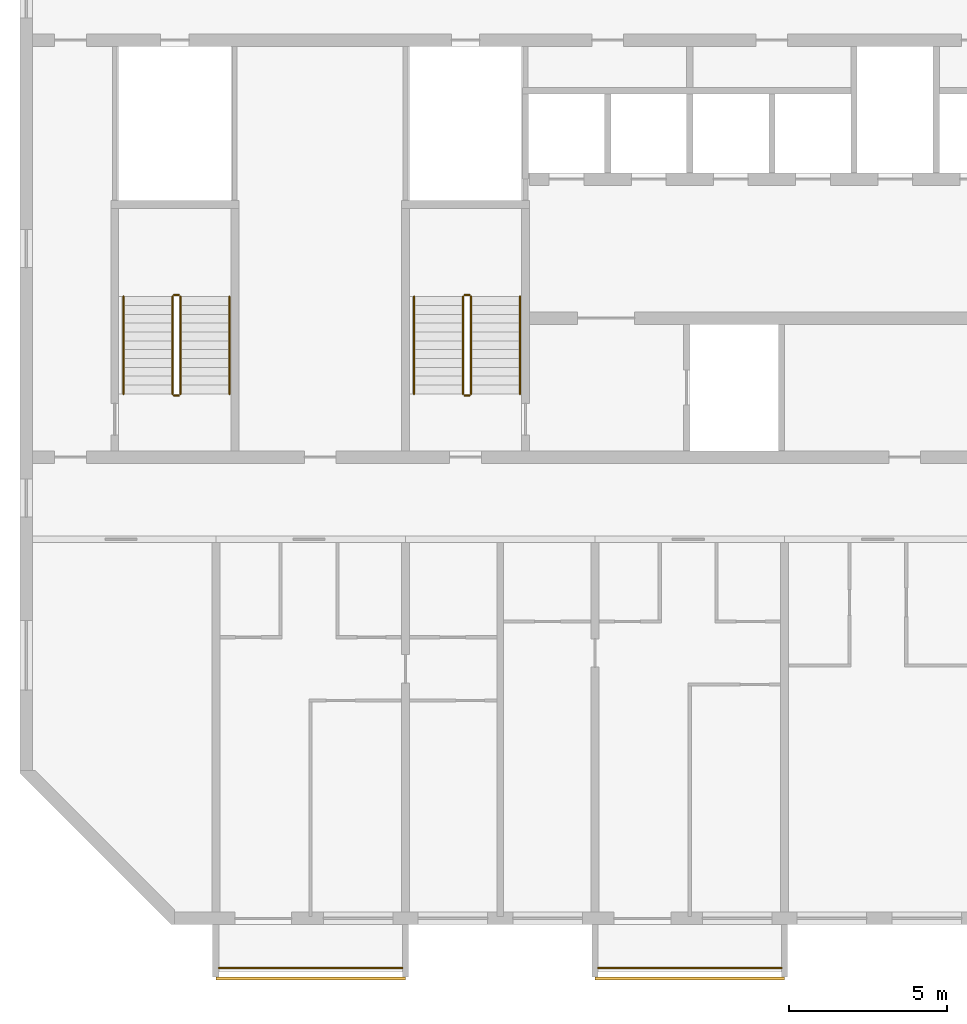
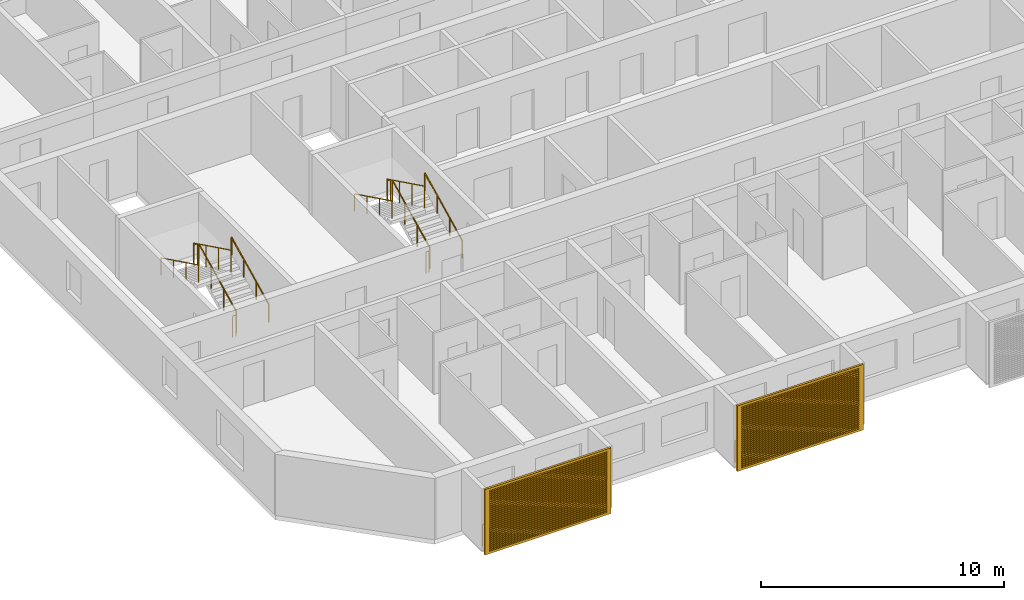
# One storey, part 13 of 27: 14 railings, 2 shading devices.
"""IFC4 building model written with IfcOpenShell, lengths in metres."""

import ifcopenshell
import ifcopenshell.guid

model = None  # the IFC model being written
_history = None  # IfcOwnerHistory: only IFC2X3 demands one
_inside = {}  # id of a spatial element -> (the spatial element, [elements in it])
_under = {}  # id of a project, library or spatial element -> (it, [spatial elements below it])
_declared = {}  # id of a project -> (the project, [libraries it declares])
_typed = {}  # id of a type object -> (the type object, [elements of that type])
_made_of = {}  # id of a material, layer set ... -> (it, [elements and type objects made of it])


def new_model(schema):
    """Start an empty IFC model of exactly this schema.

    Asked for "IFC4X3", IfcOpenShell would pick the latest addendum, in which some entities
    have other attributes; the version numbers below select the first issue.
    IFC2X3 requires an IfcOwnerHistory on every rooted entity: one is made here for all.
    """
    global model, _history
    if schema == "IFC4X3":
        model = ifcopenshell.file(schema_version=(4, 3, 0, 0))
    else:
        model = ifcopenshell.file(schema=schema)
    _inside.clear()
    _under.clear()
    _declared.clear()
    _typed.clear()
    _made_of.clear()
    _history = None
    if model.schema == "IFC2X3":
        org = make("IfcOrganization", Name="unknown")
        user = make(
            "IfcPersonAndOrganization",
            ThePerson=make("IfcPerson", FamilyName="unknown"),
            TheOrganization=org,
        )
        app = make(
            "IfcApplication",
            ApplicationDeveloper=org,
            Version="unknown",
            ApplicationFullName="unknown",
            ApplicationIdentifier="unknown",
        )
        _history = make(
            "IfcOwnerHistory",
            OwningUser=user,
            OwningApplication=app,
            ChangeAction="ADDED",
            CreationDate=0,
        )
    return model


def make(cls, **values):
    """One entity of the class cls with the attributes given. An attribute that is None is left unset."""
    return model.create_entity(
        cls, **{name: value for name, value in values.items() if value is not None}
    )


def rooted(cls, **values):
    """An entity with a GlobalId (a new one), such as an element, a storey or a relation."""
    return make(cls, GlobalId=ifcopenshell.guid.new(), OwnerHistory=_history, **values)


def si_unit(unit_type, name, prefix=None):
    """IfcSIUnit, for example si_unit("LENGTHUNIT", "METRE", prefix="MILLI")."""
    return make("IfcSIUnit", UnitType=unit_type, Prefix=prefix, Name=name)


def assignment(units):
    """IfcUnitAssignment: the units of a project."""
    return None if units is None else make("IfcUnitAssignment", Units=units)


def point(xyz):
    """IfcCartesianPoint."""
    return None if xyz is None else make("IfcCartesianPoint", Coordinates=xyz)


def direction(xyz):
    """IfcDirection."""
    return None if xyz is None else make("IfcDirection", DirectionRatios=xyz)


def frame(location, z_axis=None, x_axis=None):
    """IfcAxis2Placement3D, a coordinate frame: its origin and axes. An axis left out is left unset."""
    return make(
        "IfcAxis2Placement3D",
        Location=point(location),
        Axis=direction(z_axis),
        RefDirection=direction(x_axis),
    )


def frame_2d(location, x_axis=None):
    """IfcAxis2Placement2D, a coordinate frame in the plane: its origin and x axis."""
    return make(
        "IfcAxis2Placement2D", Location=point(location), RefDirection=direction(x_axis)
    )


def origin():
    """The frame at (0, 0, 0) with its axes left unset."""
    return frame((0.0, 0.0, 0.0))


def origin_2d():
    """The frame at (0, 0) in the plane with its x axis left unset."""
    return frame_2d((0.0, 0.0))


def place(relative_to, where):
    """IfcLocalPlacement: puts the frame where relative to a parent placement (None: the world)."""
    return make(
        "IfcLocalPlacement", PlacementRelTo=relative_to, RelativePlacement=where
    )


def context(
    kind, dimensions, precision=None, world=None, true_north=None, identifier=None
):
    """IfcGeometricRepresentationContext, for example the 3D "Model" context."""
    return make(
        "IfcGeometricRepresentationContext",
        ContextIdentifier=identifier,
        ContextType=kind,
        CoordinateSpaceDimension=dimensions,
        Precision=precision,
        WorldCoordinateSystem=world,
        TrueNorth=true_north,
    )


def subcontext(parent, identifier, kind, view, scale=None):
    """IfcGeometricRepresentationSubContext, for example "Body" below "Model"."""
    return make(
        "IfcGeometricRepresentationSubContext",
        ContextIdentifier=identifier,
        ContextType=kind,
        ParentContext=parent,
        TargetScale=scale,
        TargetView=view,
    )


def project(units=None, contexts=None):
    """IfcProject with its units and contexts."""
    return rooted(
        "IfcProject",
        Name="project",
        RepresentationContexts=contexts,
        UnitsInContext=assignment(units),
    )


def spatial(cls, under=None, at=None, **own):
    """A site, building, storey or space (cls), placed at a placement, below another one or the project."""
    s = rooted(cls, ObjectPlacement=at, **own)
    if under is not None:
        _under.setdefault(under.id(), (under, []))[1].append(s)
    return s


def polyline(points):
    """IfcPolyline through the points."""
    return make("IfcPolyline", Points=[point(p) for p in points])


def profile(cls, at=None, kind="AREA", **sizes):
    """A parametric profile (cls). Its sizes go by their IFC names, for example OverallWidth=200.0."""
    return make(cls, ProfileType=kind, Position=at, **sizes)


def circle(**sizes):
    """IfcCircleProfileDef."""
    return profile("IfcCircleProfileDef", **sizes)


def outline(outer, holes=None, kind="AREA"):
    """IfcArbitraryClosedProfileDef: a profile drawn as a closed curve; with holes, ...WithVoids."""
    if holes is None:
        return make("IfcArbitraryClosedProfileDef", ProfileType=kind, OuterCurve=outer)
    return make(
        "IfcArbitraryProfileDefWithVoids",
        ProfileType=kind,
        OuterCurve=outer,
        InnerCurves=holes,
    )


def extrude(swept, where, along, depth):
    """IfcExtrudedAreaSolid: the profile swept, set in the frame where, extruded along a direction by depth."""
    return make(
        "IfcExtrudedAreaSolid",
        SweptArea=swept,
        Position=where,
        ExtrudedDirection=direction(along),
        Depth=depth,
    )


def shape(context_of_items, identifier, shape_type, items):
    """IfcShapeRepresentation: the items that make up one representation, for example the "Body"."""
    return make(
        "IfcShapeRepresentation",
        ContextOfItems=context_of_items,
        RepresentationIdentifier=identifier,
        RepresentationType=shape_type,
        Items=items,
    )


def source(mapping_origin, context_of_items, identifier, shape_type, items):
    """IfcRepresentationMap: a shape defined once, which mapped items show again and again."""
    return make(
        "IfcRepresentationMap",
        MappingOrigin=mapping_origin,
        MappedRepresentation=shape(context_of_items, identifier, shape_type, items),
    )


def transform(
    local_origin,
    x_axis=None,
    y_axis=None,
    z_axis=None,
    scale=None,
    scale2=None,
    scale3=None,
    uniform=True,
):
    """IfcCartesianTransformationOperator3D, or its non-uniform kind. x_axis, y_axis, z_axis: its Axis1, 2, 3."""
    if uniform:
        return make(
            "IfcCartesianTransformationOperator3D",
            Axis1=direction(x_axis),
            Axis2=direction(y_axis),
            LocalOrigin=point(local_origin),
            Scale=scale,
            Axis3=direction(z_axis),
        )
    return make(
        "IfcCartesianTransformationOperator3DnonUniform",
        Axis1=direction(x_axis),
        Axis2=direction(y_axis),
        LocalOrigin=point(local_origin),
        Scale=scale,
        Axis3=direction(z_axis),
        Scale2=scale2,
        Scale3=scale3,
    )


def mapped(mapping_source, mapping_target):
    """IfcMappedItem: shows the shape of a source again, moved by a transform."""
    return make(
        "IfcMappedItem", MappingSource=mapping_source, MappingTarget=mapping_target
    )


def material(Name=None, Category=None):
    """IfcMaterial."""
    return make("IfcMaterial", Name=Name, Category=Category)


def material_profile(
    of_material, cross_section, Name=None, Category=None, Priority=None
):
    """IfcMaterialProfile: a cross section and its material."""
    return make(
        "IfcMaterialProfile",
        Name=Name,
        Material=of_material,
        Profile=cross_section,
        Priority=Priority,
        Category=Category,
    )


def profile_set(profiles, Name=None, composite=None):
    """IfcMaterialProfileSet."""
    return make(
        "IfcMaterialProfileSet",
        Name=Name,
        MaterialProfiles=profiles,
        CompositeProfile=composite,
    )


def made_of(thing, what):
    """Note that an element or type object is made of a material, layer set ...; save() writes the relation."""
    if what is not None:
        _made_of.setdefault(what.id(), (what, []))[1].append(thing)
    return thing


def type_object(cls, material=None, **own):
    """A type object (cls), such as IfcWallType, which elements share."""
    return made_of(rooted(cls, **own), material)


def element(
    cls,
    number,
    at=None,
    inside=None,
    cuts=None,
    type_object=None,
    material=None,
    context=None,
    identifier="Body",
    shape_type=None,
    held_by="IfcProductDefinitionShape",
    body=None,
    shapes=None,
    **own,
):
    """One element of the class cls, such as IfcWall. Its Tag is "e" and its number.

    at: its placement. inside: the storey or other place that contains it. cuts: it is an
    opening in that element (IfcRelVoidsElement). A single representation is given by context,
    identifier, shape_type and body (its items); several are given by shapes. held_by: the class
    of the entity that holds the representations. save() writes the other relations.
    """
    e = rooted(cls, Tag="e%d" % number, ObjectPlacement=at, **own)
    if body is not None:
        shapes = [shape(context, identifier, shape_type, body)]
    if shapes is not None:
        e.Representation = make(held_by, Representations=shapes)
    if inside is not None:
        _inside.setdefault(inside.id(), (inside, []))[1].append(e)
    if cuts is not None:
        rooted(
            "IfcRelVoidsElement", RelatingBuildingElement=cuts, RelatedOpeningElement=e
        )
    if type_object is not None:
        _typed.setdefault(type_object.id(), (type_object, []))[1].append(e)
    return made_of(e, material)


def aggregate(whole, parts):
    """IfcRelAggregates: a whole, such as a stair, and the parts it consists of."""
    return rooted("IfcRelAggregates", RelatingObject=whole, RelatedObjects=parts)


def save(model, path):
    """Write the relations noted so far, then the file.

    IfcRelAggregates (storeys below a building ...), IfcRelContainedInSpatialStructure (elements
    in a storey), IfcRelDefinesByType, IfcRelAssociatesMaterial and IfcRelDeclares: one each for
    every whole, place, type object, material and project.
    """
    for whole, parts in _under.values():
        aggregate(whole, parts)
    for where, things in _inside.values():
        rooted(
            "IfcRelContainedInSpatialStructure",
            RelatedElements=things,
            RelatingStructure=where,
        )
    for kind, things in _typed.values():
        rooted("IfcRelDefinesByType", RelatedObjects=things, RelatingType=kind)
    for what, things in _made_of.values():
        rooted("IfcRelAssociatesMaterial", RelatedObjects=things, RelatingMaterial=what)
    for by, libraries in _declared.values():
        rooted("IfcRelDeclares", RelatingContext=by, RelatedDefinitions=libraries)
    model.write(path)


model = new_model("IFC4")

# Units and contexts
model_context = context("Model", 3, precision=1e-05, world=origin(), true_north=direction((0.0, 1.0)))
body_context = subcontext(model_context, "Body", "Model", "MODEL_VIEW")
ifc_project = project(units=[si_unit("LENGTHUNIT", "METRE"), si_unit("AREAUNIT", "SQUARE_METRE"), si_unit("VOLUMEUNIT", "CUBIC_METRE"), si_unit("PLANEANGLEUNIT", "RADIAN"), si_unit("MASSUNIT", "GRAM", prefix="KILO")], contexts=[model_context])

# Site, building, storey
site_placement = place(None, origin())
site = spatial("IfcSite", under=ifc_project, at=site_placement, CompositionType="ELEMENT")
building_placement = place(site_placement, origin())
building = spatial("IfcBuilding", under=site, at=building_placement, Name="Poui Terraces", CompositionType="ELEMENT")
storey_placement = place(building_placement, frame((0.0, 0.0, 204.89990234375)))
storey = spatial("IfcBuildingStorey", under=building, at=storey_placement, Name="L57", CompositionType="ELEMENT", Elevation=204.89990234375)

# Railings
ifc_material_1 = material(Name="Painted steel fretwork", Category="steel")
railing_type_1 = type_object("IfcRailingType", Name="BALCONY GUARD 1100", PredefinedType="GUARDRAIL", material=ifc_material_1)
for number, where, name in (
    (1, (24.10009765625, -1.570068359375, 0.0), "BALCONY GUARD"),
    (2, (36.10009765625, -1.570068359375, 0.0), "BALCONY GUARD"),
):
    element("IfcRailing", number, at=place(storey_placement, frame(where)), inside=storey, type_object=railing_type_1, Name=name, PredefinedType="GUARDRAIL", context=body_context, shape_type="SweptSolid", body=[
        extrude(circle(Radius=0.02392578125, at=origin_2d()), frame((0.0, 0.0, 1.076171875), z_axis=(1.0, 0.0, 0.0), x_axis=(0.0, 1.0, 0.0)), (0.0, 0.0, 1.0), 5.7998046875),
        extrude(circle(Radius=0.02099609375, at=origin_2d()), origin(), (0.0, 0.0, 1.0), 1.052001953125),
        extrude(circle(Radius=0.02099609375, at=origin_2d()), frame((0.966552734375, 0.0, 0.0)), (0.0, 0.0, 1.0), 1.052001953125),
        extrude(circle(Radius=0.02099609375, at=origin_2d()), frame((1.933349609375, 0.0, 0.0)), (0.0, 0.0, 1.0), 1.052001953125),
        extrude(circle(Radius=0.02099609375, at=origin_2d()), frame((2.89990234375, 0.0, 0.0)), (0.0, 0.0, 1.0), 1.052001953125),
        extrude(circle(Radius=0.02099609375, at=origin_2d()), frame((3.866455078125, 0.0, 0.0)), (0.0, 0.0, 1.0), 1.052001953125),
        extrude(circle(Radius=0.02099609375, at=origin_2d()), frame((4.833251953125, 0.0, 0.0)), (0.0, 0.0, 1.0), 1.052001953125),
        extrude(circle(Radius=0.02099609375, at=origin_2d()), frame((5.7998046875, 0.0, 0.0)), (0.0, 0.0, 1.0), 1.052001953125),
    ])
ifc_material_2 = material(Name="Galvanised steel balustrade", Category="steel")
railing_type_2 = type_object("IfcRailingType", Name="STAIR GUARD 1100", PredefinedType="GUARDRAIL", material=ifc_material_2)
railing_1_placement = place(storey_placement, frame((32.074951171875, 16.60009765625, 0.1376953125)))
element("IfcRailing", 3, at=railing_1_placement, inside=storey, type_object=railing_type_2, Name="L57 ST-CW stair guard 1", PredefinedType="GUARDRAIL", context=body_context, shape_type="SweptSolid", body=[
    extrude(circle(Radius=0.02392578125, at=origin_2d()), frame((0.0, 0.0, 1.076171875), z_axis=(0.0, 0.897606190399, 0.440798283751), x_axis=(-1.0, 0.0, 0.0)), (0.0, 0.0, 1.0), 3.43115234375),
    extrude(circle(Radius=0.02099609375, at=origin_2d()), origin(), (0.0, 0.0, 1.0), 1.052001953125),
    extrude(circle(Radius=0.02099609375, at=origin_2d()), frame((0.0, 1.026611328125, 0.504150390625)), (0.0, 0.0, 1.0), 1.052001953125),
    extrude(circle(Radius=0.02099609375, at=origin_2d()), frame((0.0, 2.05322265625, 1.00830078125)), (0.0, 0.0, 1.0), 1.052001953125),
    extrude(circle(Radius=0.02099609375, at=origin_2d()), frame((0.0, 3.079833984375, 1.512451171875)), (0.0, 0.0, 1.0), 1.052001953125),
])
railing_2_placement = place(storey_placement, frame((32.02490234375, 19.72998046875, 1.650146484375)))
element("IfcRailing", 4, at=railing_2_placement, inside=storey, type_object=railing_type_2, Name="L57 ST-CW stair guard 2", PredefinedType="GUARDRAIL", context=body_context, shape_type="SweptSolid", body=[
    extrude(circle(Radius=0.02392578125, at=origin_2d()), frame((0.0, 0.0, 1.076171875), z_axis=(-1.0, 0.0, 0.0), x_axis=(0.0, -1.0, 0.0)), (0.0, 0.0, 1.0), 0.14990234375),
    extrude(circle(Radius=0.02099609375, at=origin_2d()), origin(), (0.0, 0.0, 1.0), 1.052001953125),
    extrude(circle(Radius=0.02099609375, at=origin_2d()), frame((-0.14990234375, 0.0, 0.0)), (0.0, 0.0, 1.0), 1.052001953125),
])
railing_3_placement = place(storey_placement, frame((31.824951171875, 19.679931640625, 1.78759765625)))
element("IfcRailing", 5, at=railing_3_placement, inside=storey, type_object=railing_type_2, Name="L57 ST-CW stair guard 3", PredefinedType="GUARDRAIL", context=body_context, shape_type="SweptSolid", body=[
    extrude(circle(Radius=0.02392578125, at=origin_2d()), frame((0.0, 0.0, 1.076171875), z_axis=(0.0, -0.897606190399, 0.440798283751), x_axis=(1.0, 0.0, 0.0)), (0.0, 0.0, 1.0), 3.43115234375),
    extrude(circle(Radius=0.02099609375, at=origin_2d()), origin(), (0.0, 0.0, 1.0), 1.052001953125),
    extrude(circle(Radius=0.02099609375, at=origin_2d()), frame((0.0, -1.026611328125, 0.504150390625)), (0.0, 0.0, 1.0), 1.052001953125),
    extrude(circle(Radius=0.02099609375, at=origin_2d()), frame((0.0, -2.05322265625, 1.00830078125)), (0.0, 0.0, 1.0), 1.052001953125),
    extrude(circle(Radius=0.02099609375, at=origin_2d()), frame((0.0, -3.079833984375, 1.512451171875)), (0.0, 0.0, 1.0), 1.052001953125),
])
railing_4_placement = place(storey_placement, frame((32.02490234375, 16.550048828125, 0.0)))
element("IfcRailing", 6, at=railing_4_placement, inside=storey, type_object=railing_type_2, Name="L57 ST-CW stair guard 4", PredefinedType="GUARDRAIL", context=body_context, shape_type="SweptSolid", body=[
    extrude(circle(Radius=0.02392578125, at=origin_2d()), frame((0.0, 0.0, 1.076171875), z_axis=(-1.0, 0.0, 0.0), x_axis=(0.0, -1.0, 0.0)), (0.0, 0.0, 1.0), 0.14990234375),
    extrude(circle(Radius=0.02099609375, at=origin_2d()), origin(), (0.0, 0.0, 1.0), 1.052001953125),
    extrude(circle(Radius=0.02099609375, at=origin_2d()), frame((-0.14990234375, 0.0, 0.0)), (0.0, 0.0, 1.0), 1.052001953125),
])
railing_5_placement = place(storey_placement, frame((22.875, 16.60009765625, 0.1376953125)))
element("IfcRailing", 7, at=railing_5_placement, inside=storey, type_object=railing_type_2, Name="L57 ST-W stair guard 1", PredefinedType="GUARDRAIL", context=body_context, shape_type="SweptSolid", body=[
    extrude(circle(Radius=0.02392578125, at=origin_2d()), frame((0.0, 0.0, 1.076171875), z_axis=(0.0, 0.897606190399, 0.440798283751), x_axis=(-1.0, 0.0, 0.0)), (0.0, 0.0, 1.0), 3.43115234375),
    extrude(circle(Radius=0.02099609375, at=origin_2d()), origin(), (0.0, 0.0, 1.0), 1.052001953125),
    extrude(circle(Radius=0.02099609375, at=origin_2d()), frame((0.0, 1.026611328125, 0.504150390625)), (0.0, 0.0, 1.0), 1.052001953125),
    extrude(circle(Radius=0.02099609375, at=origin_2d()), frame((0.0, 2.05322265625, 1.00830078125)), (0.0, 0.0, 1.0), 1.052001953125),
    extrude(circle(Radius=0.02099609375, at=origin_2d()), frame((0.0, 3.079833984375, 1.512451171875)), (0.0, 0.0, 1.0), 1.052001953125),
])
railing_6_placement = place(storey_placement, frame((22.824951171875, 19.72998046875, 1.650146484375)))
element("IfcRailing", 8, at=railing_6_placement, inside=storey, type_object=railing_type_2, Name="L57 ST-W stair guard 2", PredefinedType="GUARDRAIL", context=body_context, shape_type="SweptSolid", body=[
    extrude(circle(Radius=0.02392578125, at=origin_2d()), frame((0.0, 0.0, 1.076171875), z_axis=(-1.0, 0.0, 0.0), x_axis=(0.0, -1.0, 0.0)), (0.0, 0.0, 1.0), 0.14990234375),
    extrude(circle(Radius=0.02099609375, at=origin_2d()), origin(), (0.0, 0.0, 1.0), 1.052001953125),
    extrude(circle(Radius=0.02099609375, at=origin_2d()), frame((-0.14990234375, 0.0, 0.0)), (0.0, 0.0, 1.0), 1.052001953125),
])
railing_7_placement = place(storey_placement, frame((22.625, 19.679931640625, 1.78759765625)))
element("IfcRailing", 9, at=railing_7_placement, inside=storey, type_object=railing_type_2, Name="L57 ST-W stair guard 3", PredefinedType="GUARDRAIL", context=body_context, shape_type="SweptSolid", body=[
    extrude(circle(Radius=0.02392578125, at=origin_2d()), frame((0.0, 0.0, 1.076171875), z_axis=(0.0, -0.897606190399, 0.440798283751), x_axis=(1.0, 0.0, 0.0)), (0.0, 0.0, 1.0), 3.43115234375),
    extrude(circle(Radius=0.02099609375, at=origin_2d()), origin(), (0.0, 0.0, 1.0), 1.052001953125),
    extrude(circle(Radius=0.02099609375, at=origin_2d()), frame((0.0, -1.026611328125, 0.504150390625)), (0.0, 0.0, 1.0), 1.052001953125),
    extrude(circle(Radius=0.02099609375, at=origin_2d()), frame((0.0, -2.05322265625, 1.00830078125)), (0.0, 0.0, 1.0), 1.052001953125),
    extrude(circle(Radius=0.02099609375, at=origin_2d()), frame((0.0, -3.079833984375, 1.512451171875)), (0.0, 0.0, 1.0), 1.052001953125),
])
railing_8_placement = place(storey_placement, frame((22.824951171875, 16.550048828125, 0.0)))
element("IfcRailing", 10, at=railing_8_placement, inside=storey, type_object=railing_type_2, Name="L57 ST-W stair guard 4", PredefinedType="GUARDRAIL", context=body_context, shape_type="SweptSolid", body=[
    extrude(circle(Radius=0.02392578125, at=origin_2d()), frame((0.0, 0.0, 1.076171875), z_axis=(-1.0, 0.0, 0.0), x_axis=(0.0, -1.0, 0.0)), (0.0, 0.0, 1.0), 0.14990234375),
    extrude(circle(Radius=0.02099609375, at=origin_2d()), origin(), (0.0, 0.0, 1.0), 1.052001953125),
    extrude(circle(Radius=0.02099609375, at=origin_2d()), frame((-0.14990234375, 0.0, 0.0)), (0.0, 0.0, 1.0), 1.052001953125),
])
ifc_material_3 = material(Name="Stainless steel handrail", Category="steel")
railing_type_3 = type_object("IfcRailingType", Name="STAIR HANDRAIL 900", PredefinedType="HANDRAIL", material=ifc_material_3)
railing_9_placement = place(storey_placement, frame((33.625, 16.60009765625, 0.1376953125)))
element("IfcRailing", 11, at=railing_9_placement, inside=storey, type_object=railing_type_3, Name="L57 ST-CW stair handrail 1", PredefinedType="HANDRAIL", context=body_context, shape_type="SweptSolid", body=[
    extrude(circle(Radius=0.02392578125, at=origin_2d()), frame((0.0, 0.0, 0.8759765625), z_axis=(0.0, 0.897606190399, 0.440798283751), x_axis=(-1.0, 0.0, 0.0)), (0.0, 0.0, 1.0), 3.43115234375),
    extrude(circle(Radius=0.02099609375, at=origin_2d()), origin(), (0.0, 0.0, 1.0), 0.851806640625),
    extrude(circle(Radius=0.02099609375, at=origin_2d()), frame((0.0, 1.026611328125, 0.504150390625)), (0.0, 0.0, 1.0), 0.851806640625),
    extrude(circle(Radius=0.02099609375, at=origin_2d()), frame((0.0, 2.05322265625, 1.00830078125)), (0.0, 0.0, 1.0), 0.851806640625),
    extrude(circle(Radius=0.02099609375, at=origin_2d()), frame((0.0, 3.079833984375, 1.512451171875)), (0.0, 0.0, 1.0), 0.851806640625),
])
railing_10_placement = place(storey_placement, frame((30.27490234375, 19.679931640625, 1.78759765625)))
element("IfcRailing", 12, at=railing_10_placement, inside=storey, type_object=railing_type_3, Name="L57 ST-CW stair handrail 2", PredefinedType="HANDRAIL", context=body_context, shape_type="SweptSolid", body=[
    extrude(circle(Radius=0.02392578125, at=origin_2d()), frame((0.0, 0.0, 0.8759765625), z_axis=(0.0, -0.897606190399, 0.440798283751), x_axis=(1.0, 0.0, 0.0)), (0.0, 0.0, 1.0), 3.43115234375),
    extrude(circle(Radius=0.02099609375, at=origin_2d()), origin(), (0.0, 0.0, 1.0), 0.851806640625),
    extrude(circle(Radius=0.02099609375, at=origin_2d()), frame((0.0, -1.026611328125, 0.504150390625)), (0.0, 0.0, 1.0), 0.851806640625),
    extrude(circle(Radius=0.02099609375, at=origin_2d()), frame((0.0, -2.05322265625, 1.00830078125)), (0.0, 0.0, 1.0), 0.851806640625),
    extrude(circle(Radius=0.02099609375, at=origin_2d()), frame((0.0, -3.079833984375, 1.512451171875)), (0.0, 0.0, 1.0), 0.851806640625),
])
railing_11_placement = place(storey_placement, frame((24.425048828125, 16.60009765625, 0.1376953125)))
element("IfcRailing", 13, at=railing_11_placement, inside=storey, type_object=railing_type_3, Name="L57 ST-W stair handrail 1", PredefinedType="HANDRAIL", context=body_context, shape_type="SweptSolid", body=[
    extrude(circle(Radius=0.02392578125, at=origin_2d()), frame((0.0, 0.0, 0.8759765625), z_axis=(0.0, 0.897606190399, 0.440798283751), x_axis=(-1.0, 0.0, 0.0)), (0.0, 0.0, 1.0), 3.43115234375),
    extrude(circle(Radius=0.02099609375, at=origin_2d()), origin(), (0.0, 0.0, 1.0), 0.851806640625),
    extrude(circle(Radius=0.02099609375, at=origin_2d()), frame((0.0, 1.026611328125, 0.504150390625)), (0.0, 0.0, 1.0), 0.851806640625),
    extrude(circle(Radius=0.02099609375, at=origin_2d()), frame((0.0, 2.05322265625, 1.00830078125)), (0.0, 0.0, 1.0), 0.851806640625),
    extrude(circle(Radius=0.02099609375, at=origin_2d()), frame((0.0, 3.079833984375, 1.512451171875)), (0.0, 0.0, 1.0), 0.851806640625),
])
railing_12_placement = place(storey_placement, frame((21.074951171875, 19.679931640625, 1.78759765625)))
element("IfcRailing", 14, at=railing_12_placement, inside=storey, type_object=railing_type_3, Name="L57 ST-W stair handrail 2", PredefinedType="HANDRAIL", context=body_context, shape_type="SweptSolid", body=[
    extrude(circle(Radius=0.02392578125, at=origin_2d()), frame((0.0, 0.0, 0.8759765625), z_axis=(0.0, -0.897606190399, 0.440798283751), x_axis=(1.0, 0.0, 0.0)), (0.0, 0.0, 1.0), 3.43115234375),
    extrude(circle(Radius=0.02099609375, at=origin_2d()), origin(), (0.0, 0.0, 1.0), 0.851806640625),
    extrude(circle(Radius=0.02099609375, at=origin_2d()), frame((0.0, -1.026611328125, 0.504150390625)), (0.0, 0.0, 1.0), 0.851806640625),
    extrude(circle(Radius=0.02099609375, at=origin_2d()), frame((0.0, -2.05322265625, 1.00830078125)), (0.0, 0.0, 1.0), 0.851806640625),
    extrude(circle(Radius=0.02099609375, at=origin_2d()), frame((0.0, -3.079833984375, 1.512451171875)), (0.0, 0.0, 1.0), 0.851806640625),
])

# Shading devices
ifc_material_4 = material(Name="Aluminium louvre", Category="aluminium")
ifc_material_profile = material_profile(ifc_material_4, outline(polyline([(-3.0, -1.64990234375), (3.0, -1.64990234375), (3.0, 1.64990234375), (-3.0, 1.64990234375), (-3.0, -1.64990234375)]), holes=[polyline([(-2.800048828125, -1.530029296875), (2.800048828125, -1.530029296875), (2.800048828125, -1.469970703125), (-2.800048828125, -1.469970703125), (-2.800048828125, -1.530029296875)]), polyline([(-2.800048828125, -1.429931640625), (2.800048828125, -1.429931640625), (2.800048828125, -1.3701171875), (-2.800048828125, -1.3701171875), (-2.800048828125, -1.429931640625)]), polyline([(-2.800048828125, -1.330078125), (2.800048828125, -1.330078125), (2.800048828125, -1.27001953125), (-2.800048828125, -1.27001953125), (-2.800048828125, -1.330078125)]), polyline([(-2.800048828125, -1.22998046875), (2.800048828125, -1.22998046875), (2.800048828125, -1.169921875), (-2.800048828125, -1.169921875), (-2.800048828125, -1.22998046875)]), polyline([(-2.800048828125, -1.1298828125), (2.800048828125, -1.1298828125), (2.800048828125, -1.070068359375), (-2.800048828125, -1.070068359375), (-2.800048828125, -1.1298828125)]), polyline([(-2.800048828125, -1.030029296875), (2.800048828125, -1.030029296875), (2.800048828125, -0.969970703125), (-2.800048828125, -0.969970703125), (-2.800048828125, -1.030029296875)]), polyline([(-2.800048828125, -0.929931640625), (2.800048828125, -0.929931640625), (2.800048828125, -0.8701171875), (-2.800048828125, -0.8701171875), (-2.800048828125, -0.929931640625)]), polyline([(-2.800048828125, -0.830078125), (2.800048828125, -0.830078125), (2.800048828125, -0.77001953125), (-2.800048828125, -0.77001953125), (-2.800048828125, -0.830078125)]), polyline([(-2.800048828125, -0.72998046875), (2.800048828125, -0.72998046875), (2.800048828125, -0.669921875), (-2.800048828125, -0.669921875), (-2.800048828125, -0.72998046875)]), polyline([(-2.800048828125, -0.6298828125), (2.800048828125, -0.6298828125), (2.800048828125, -0.570068359375), (-2.800048828125, -0.570068359375), (-2.800048828125, -0.6298828125)]), polyline([(-2.800048828125, -0.530029296875), (2.800048828125, -0.530029296875), (2.800048828125, -0.469970703125), (-2.800048828125, -0.469970703125), (-2.800048828125, -0.530029296875)]), polyline([(-2.800048828125, -0.429931640625), (2.800048828125, -0.429931640625), (2.800048828125, -0.3701171875), (-2.800048828125, -0.3701171875), (-2.800048828125, -0.429931640625)]), polyline([(-2.800048828125, -0.330078125), (2.800048828125, -0.330078125), (2.800048828125, -0.27001953125), (-2.800048828125, -0.27001953125), (-2.800048828125, -0.330078125)]), polyline([(-2.800048828125, -0.22998046875), (2.800048828125, -0.22998046875), (2.800048828125, -0.169921875), (-2.800048828125, -0.169921875), (-2.800048828125, -0.22998046875)]), polyline([(-2.800048828125, -0.1298828125), (2.800048828125, -0.1298828125), (2.800048828125, -0.070068359375), (-2.800048828125, -0.070068359375), (-2.800048828125, -0.1298828125)]), polyline([(-2.800048828125, -0.030029296875), (2.800048828125, -0.030029296875), (2.800048828125, 0.030029296875), (-2.800048828125, 0.030029296875), (-2.800048828125, -0.030029296875)]), polyline([(-2.800048828125, 0.070068359375), (2.800048828125, 0.070068359375), (2.800048828125, 0.1298828125), (-2.800048828125, 0.1298828125), (-2.800048828125, 0.070068359375)]), polyline([(-2.800048828125, 0.169921875), (2.800048828125, 0.169921875), (2.800048828125, 0.22998046875), (-2.800048828125, 0.22998046875), (-2.800048828125, 0.169921875)]), polyline([(-2.800048828125, 0.27001953125), (2.800048828125, 0.27001953125), (2.800048828125, 0.330078125), (-2.800048828125, 0.330078125), (-2.800048828125, 0.27001953125)]), polyline([(-2.800048828125, 0.3701171875), (2.800048828125, 0.3701171875), (2.800048828125, 0.429931640625), (-2.800048828125, 0.429931640625), (-2.800048828125, 0.3701171875)]), polyline([(-2.800048828125, 0.469970703125), (2.800048828125, 0.469970703125), (2.800048828125, 0.530029296875), (-2.800048828125, 0.530029296875), (-2.800048828125, 0.469970703125)]), polyline([(-2.800048828125, 0.570068359375), (2.800048828125, 0.570068359375), (2.800048828125, 0.6298828125), (-2.800048828125, 0.6298828125), (-2.800048828125, 0.570068359375)]), polyline([(-2.800048828125, 0.669921875), (2.800048828125, 0.669921875), (2.800048828125, 0.72998046875), (-2.800048828125, 0.72998046875), (-2.800048828125, 0.669921875)]), polyline([(-2.800048828125, 0.77001953125), (2.800048828125, 0.77001953125), (2.800048828125, 0.830078125), (-2.800048828125, 0.830078125), (-2.800048828125, 0.77001953125)]), polyline([(-2.800048828125, 0.8701171875), (2.800048828125, 0.8701171875), (2.800048828125, 0.929931640625), (-2.800048828125, 0.929931640625), (-2.800048828125, 0.8701171875)]), polyline([(-2.800048828125, 0.969970703125), (2.800048828125, 0.969970703125), (2.800048828125, 1.030029296875), (-2.800048828125, 1.030029296875), (-2.800048828125, 0.969970703125)]), polyline([(-2.800048828125, 1.070068359375), (2.800048828125, 1.070068359375), (2.800048828125, 1.1298828125), (-2.800048828125, 1.1298828125), (-2.800048828125, 1.070068359375)]), polyline([(-2.800048828125, 1.169921875), (2.800048828125, 1.169921875), (2.800048828125, 1.22998046875), (-2.800048828125, 1.22998046875), (-2.800048828125, 1.169921875)]), polyline([(-2.800048828125, 1.27001953125), (2.800048828125, 1.27001953125), (2.800048828125, 1.330078125), (-2.800048828125, 1.330078125), (-2.800048828125, 1.27001953125)]), polyline([(-2.800048828125, 1.3701171875), (2.800048828125, 1.3701171875), (2.800048828125, 1.429931640625), (-2.800048828125, 1.429931640625), (-2.800048828125, 1.3701171875)]), polyline([(-2.800048828125, 1.469970703125), (2.800048828125, 1.469970703125), (2.800048828125, 1.530029296875), (-2.800048828125, 1.530029296875), (-2.800048828125, 1.469970703125)])]), Name="JALOUSIE LOUVRE SHUTTER 6000X3300")
ifc_profile_set = profile_set([ifc_material_profile], Name="Aluminium louvre")
shading_device_type = type_object("IfcShadingDeviceType", Name="JALOUSIE LOUVRE SHUTTER 6000X3300", PredefinedType="JALOUSIE", material=ifc_profile_set)
shared_shape = source(origin(), body_context, "Body", "SweptSolid", [
    extrude(outline(polyline([(-3.0, -1.64990234375), (3.0, -1.64990234375), (3.0, 1.64990234375), (-3.0, 1.64990234375), (-3.0, -1.64990234375)]), holes=[polyline([(-2.800048828125, -1.530029296875), (2.800048828125, -1.530029296875), (2.800048828125, -1.469970703125), (-2.800048828125, -1.469970703125), (-2.800048828125, -1.530029296875)]), polyline([(-2.800048828125, -1.429931640625), (2.800048828125, -1.429931640625), (2.800048828125, -1.3701171875), (-2.800048828125, -1.3701171875), (-2.800048828125, -1.429931640625)]), polyline([(-2.800048828125, -1.330078125), (2.800048828125, -1.330078125), (2.800048828125, -1.27001953125), (-2.800048828125, -1.27001953125), (-2.800048828125, -1.330078125)]), polyline([(-2.800048828125, -1.22998046875), (2.800048828125, -1.22998046875), (2.800048828125, -1.169921875), (-2.800048828125, -1.169921875), (-2.800048828125, -1.22998046875)]), polyline([(-2.800048828125, -1.1298828125), (2.800048828125, -1.1298828125), (2.800048828125, -1.070068359375), (-2.800048828125, -1.070068359375), (-2.800048828125, -1.1298828125)]), polyline([(-2.800048828125, -1.030029296875), (2.800048828125, -1.030029296875), (2.800048828125, -0.969970703125), (-2.800048828125, -0.969970703125), (-2.800048828125, -1.030029296875)]), polyline([(-2.800048828125, -0.929931640625), (2.800048828125, -0.929931640625), (2.800048828125, -0.8701171875), (-2.800048828125, -0.8701171875), (-2.800048828125, -0.929931640625)]), polyline([(-2.800048828125, -0.830078125), (2.800048828125, -0.830078125), (2.800048828125, -0.77001953125), (-2.800048828125, -0.77001953125), (-2.800048828125, -0.830078125)]), polyline([(-2.800048828125, -0.72998046875), (2.800048828125, -0.72998046875), (2.800048828125, -0.669921875), (-2.800048828125, -0.669921875), (-2.800048828125, -0.72998046875)]), polyline([(-2.800048828125, -0.6298828125), (2.800048828125, -0.6298828125), (2.800048828125, -0.570068359375), (-2.800048828125, -0.570068359375), (-2.800048828125, -0.6298828125)]), polyline([(-2.800048828125, -0.530029296875), (2.800048828125, -0.530029296875), (2.800048828125, -0.469970703125), (-2.800048828125, -0.469970703125), (-2.800048828125, -0.530029296875)]), polyline([(-2.800048828125, -0.429931640625), (2.800048828125, -0.429931640625), (2.800048828125, -0.3701171875), (-2.800048828125, -0.3701171875), (-2.800048828125, -0.429931640625)]), polyline([(-2.800048828125, -0.330078125), (2.800048828125, -0.330078125), (2.800048828125, -0.27001953125), (-2.800048828125, -0.27001953125), (-2.800048828125, -0.330078125)]), polyline([(-2.800048828125, -0.22998046875), (2.800048828125, -0.22998046875), (2.800048828125, -0.169921875), (-2.800048828125, -0.169921875), (-2.800048828125, -0.22998046875)]), polyline([(-2.800048828125, -0.1298828125), (2.800048828125, -0.1298828125), (2.800048828125, -0.070068359375), (-2.800048828125, -0.070068359375), (-2.800048828125, -0.1298828125)]), polyline([(-2.800048828125, -0.030029296875), (2.800048828125, -0.030029296875), (2.800048828125, 0.030029296875), (-2.800048828125, 0.030029296875), (-2.800048828125, -0.030029296875)]), polyline([(-2.800048828125, 0.070068359375), (2.800048828125, 0.070068359375), (2.800048828125, 0.1298828125), (-2.800048828125, 0.1298828125), (-2.800048828125, 0.070068359375)]), polyline([(-2.800048828125, 0.169921875), (2.800048828125, 0.169921875), (2.800048828125, 0.22998046875), (-2.800048828125, 0.22998046875), (-2.800048828125, 0.169921875)]), polyline([(-2.800048828125, 0.27001953125), (2.800048828125, 0.27001953125), (2.800048828125, 0.330078125), (-2.800048828125, 0.330078125), (-2.800048828125, 0.27001953125)]), polyline([(-2.800048828125, 0.3701171875), (2.800048828125, 0.3701171875), (2.800048828125, 0.429931640625), (-2.800048828125, 0.429931640625), (-2.800048828125, 0.3701171875)]), polyline([(-2.800048828125, 0.469970703125), (2.800048828125, 0.469970703125), (2.800048828125, 0.530029296875), (-2.800048828125, 0.530029296875), (-2.800048828125, 0.469970703125)]), polyline([(-2.800048828125, 0.570068359375), (2.800048828125, 0.570068359375), (2.800048828125, 0.6298828125), (-2.800048828125, 0.6298828125), (-2.800048828125, 0.570068359375)]), polyline([(-2.800048828125, 0.669921875), (2.800048828125, 0.669921875), (2.800048828125, 0.72998046875), (-2.800048828125, 0.72998046875), (-2.800048828125, 0.669921875)]), polyline([(-2.800048828125, 0.77001953125), (2.800048828125, 0.77001953125), (2.800048828125, 0.830078125), (-2.800048828125, 0.830078125), (-2.800048828125, 0.77001953125)]), polyline([(-2.800048828125, 0.8701171875), (2.800048828125, 0.8701171875), (2.800048828125, 0.929931640625), (-2.800048828125, 0.929931640625), (-2.800048828125, 0.8701171875)]), polyline([(-2.800048828125, 0.969970703125), (2.800048828125, 0.969970703125), (2.800048828125, 1.030029296875), (-2.800048828125, 1.030029296875), (-2.800048828125, 0.969970703125)]), polyline([(-2.800048828125, 1.070068359375), (2.800048828125, 1.070068359375), (2.800048828125, 1.1298828125), (-2.800048828125, 1.1298828125), (-2.800048828125, 1.070068359375)]), polyline([(-2.800048828125, 1.169921875), (2.800048828125, 1.169921875), (2.800048828125, 1.22998046875), (-2.800048828125, 1.22998046875), (-2.800048828125, 1.169921875)]), polyline([(-2.800048828125, 1.27001953125), (2.800048828125, 1.27001953125), (2.800048828125, 1.330078125), (-2.800048828125, 1.330078125), (-2.800048828125, 1.27001953125)]), polyline([(-2.800048828125, 1.3701171875), (2.800048828125, 1.3701171875), (2.800048828125, 1.429931640625), (-2.800048828125, 1.429931640625), (-2.800048828125, 1.3701171875)]), polyline([(-2.800048828125, 1.469970703125), (2.800048828125, 1.469970703125), (2.800048828125, 1.530029296875), (-2.800048828125, 1.530029296875), (-2.800048828125, 1.469970703125)])]), origin(), (0.0, 0.0, 1.0), 0.099853515625),
])
for number, where, z_axis, x_axis, name in (
    (15, (27.0, -1.85009765625, 1.4501953125), (0.0, -1.0, 0.0), (1.0, 0.0, 0.0), "JALOUSIE LOUVRE SHUTTER"),
    (16, (39.0, -1.85009765625, 1.4501953125), (0.0, -1.0, 0.0), (1.0, 0.0, 0.0), "JALOUSIE LOUVRE SHUTTER"),
):
    element("IfcShadingDevice", number, at=place(storey_placement, frame(where, z_axis=z_axis, x_axis=x_axis)), inside=storey, type_object=shading_device_type, Name=name, PredefinedType="JALOUSIE", context=body_context, shape_type="MappedRepresentation", body=[
        mapped(shared_shape, transform((0.0, 0.0, 0.0))),
    ])

save(model, "model.ifc")
